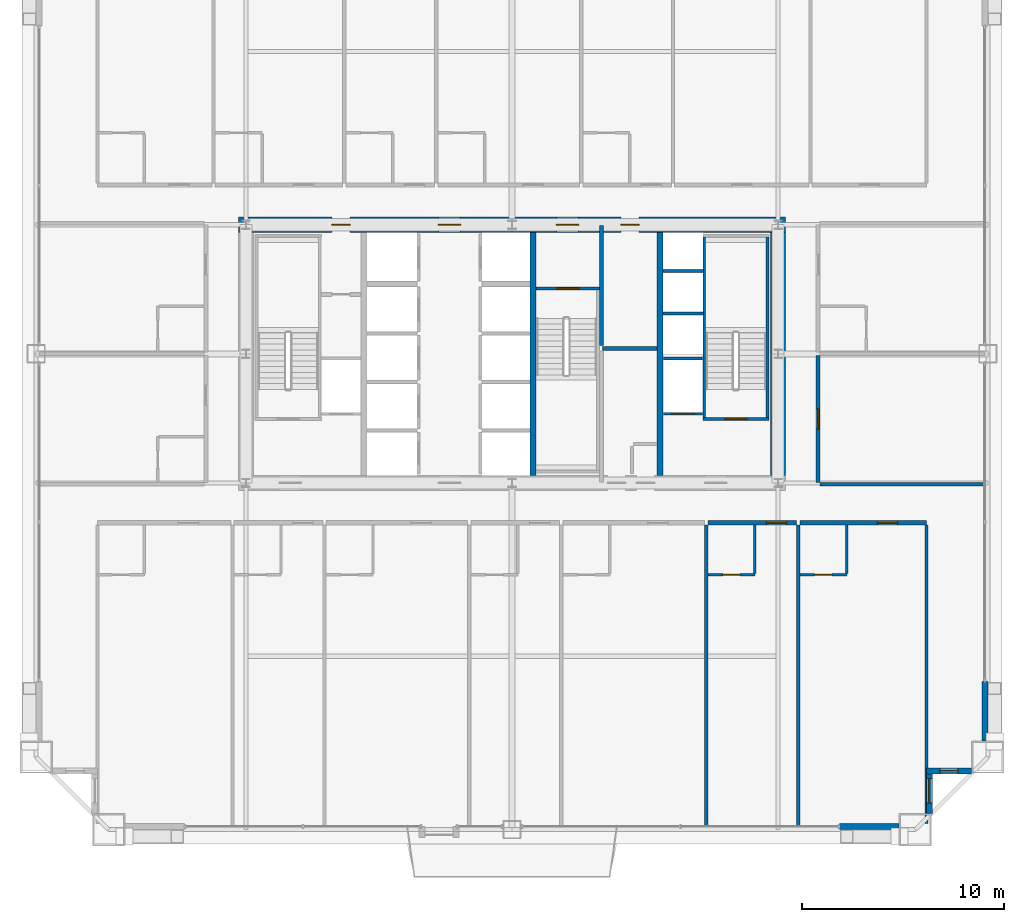
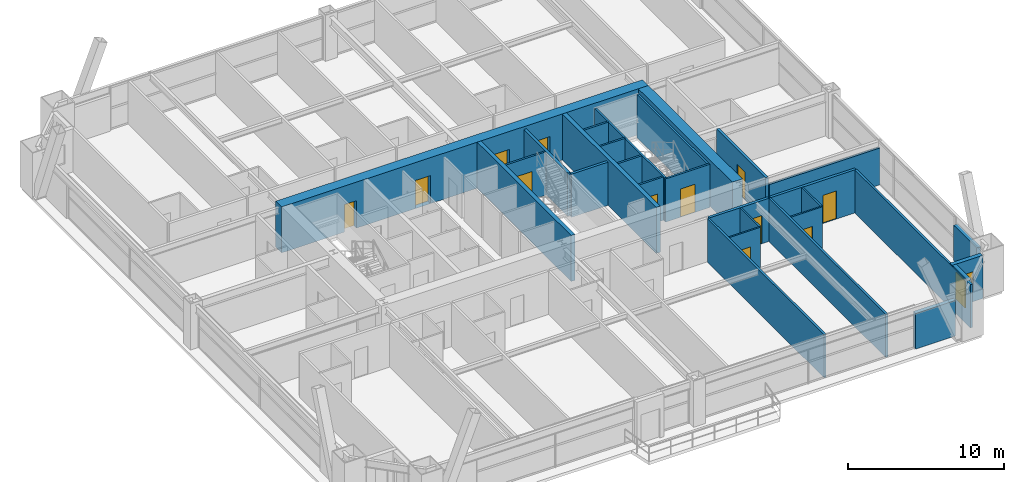
# One storey, part 40 of 43: 29 walls, 12 doors, 2 windows, 14 openings.
"""IFC4 building model written with IfcOpenShell, lengths in metres."""

from ifc_helpers import new_model, si_unit, direction, frame, frame_2d, origin, place, context, subcontext, project, spatial, rectangle, extrude, source, transform, mapped, material, layer, layer_set, type_object, element, fill, save


model = new_model("IFC4")

# Units and contexts
model_context = context("Model", 3, precision=1e-05, world=origin(), true_north=direction((0.0, 1.0)))
body_context = subcontext(model_context, "Body", "Model", "MODEL_VIEW")
ifc_project = project(units=[si_unit("LENGTHUNIT", "METRE"), si_unit("AREAUNIT", "SQUARE_METRE"), si_unit("VOLUMEUNIT", "CUBIC_METRE"), si_unit("PLANEANGLEUNIT", "RADIAN"), si_unit("MASSUNIT", "GRAM", prefix="KILO"), si_unit("THERMODYNAMICTEMPERATUREUNIT", "KELVIN"), si_unit("POWERUNIT", "WATT")], contexts=[model_context])

# Site, building, storey
site_placement = place(None, origin())
site = spatial("IfcSite", under=ifc_project, at=site_placement, CompositionType="ELEMENT")
building_placement = place(site_placement, origin())
building = spatial("IfcBuilding", under=site, at=building_placement, Name="Yuzanri Waterfront Tower", CompositionType="ELEMENT")
storey_placement = place(building_placement, frame((0.0, 0.0, 93.800048828125)))
storey = spatial("IfcBuildingStorey", under=building, at=storey_placement, Name="L24", CompositionType="ELEMENT", Elevation=93.800048828125)

# Wall, opening, door
ifc_material_1 = material(Name="Moisture-Resistant Gypsum Stud Wall", Category="gypsum")
ifc_layer_1 = layer(ifc_material_1, 0.1201171875)
ifc_layer_set_1 = layer_set([ifc_layer_1], Name="Moisture-Resistant Gypsum Stud Wall")
wall_type_1 = type_object("IfcWallType", Name="Bathroom and Kitchen Wet Partition 120", PredefinedType="PARTITIONING", material=ifc_layer_set_1)
wall_1_placement = place(storey_placement, frame((46.714111328125, 14.840087890625, 0.0), z_axis=(0.0, 0.0, 1.0), x_axis=(1.0, 0.0, 0.0)))
wall_1 = element("IfcWall", 1, at=wall_1_placement, inside=storey, type_object=wall_type_1, Name="L24 Partition UW-L24-S6-BS", PredefinedType="PARTITIONING", context=body_context, shape_type="SweptSolid", body=[
    extrude(rectangle(XDim=2.327880859375, YDim=0.1201171875, at=frame_2d((1.1640625, 0.0))), origin(), (0.0, 0.0, 1.0), 3.3798828125),
])
opening_1_placement = place(wall_1_placement, frame((0.739013671875, 0.0, 0.0)))
opening_1 = element("IfcOpeningElement", 2, at=opening_1_placement, cuts=wall_1, Name="Opening ID-0850", PredefinedType="OPENING", context=body_context, shape_type="SweptSolid", body=[
    extrude(rectangle(XDim=0.85009765625, YDim=2.10009765625, at=frame_2d((0.425048828125, 1.050048828125))), frame((0.0, 0.074951171875, 0.0), z_axis=(0.0, -1.0, 0.0), x_axis=(1.0, 0.0, 0.0)), (0.0, 0.0, 1.0), 0.14990234375),
])
ifc_material_2 = material(Name="Moisture-Resistant Lacquered Timber", Category="wood")
door_type_1 = type_object("IfcDoorType", Name="En-Suite Bathroom and Kitchen Swing Door 850x2100", OperationType="NOTDEFINED", PredefinedType="DOOR", material=ifc_material_2)
shared_shape_1 = source(origin(), body_context, "Body", "SweptSolid", [
    extrude(rectangle(XDim=0.85009765625, YDim=2.10009765625, at=frame_2d((0.425048828125, 1.050048828125))), frame((0.0, 0.02490234375, 0.0), z_axis=(0.0, -1.0, 0.0), x_axis=(1.0, 0.0, 0.0)), (0.0, 0.0, 1.0), 0.050048828125),
])
door_1_placement = place(opening_1_placement, origin())
door_1 = element("IfcDoor", 3, at=door_1_placement, inside=storey, type_object=door_type_1, Name="L24 Guest En-Suite Door", OperationType="SINGLE_SWING_LEFT", OverallHeight=2.10009765625, OverallWidth=0.85009765625, PredefinedType="DOOR", context=body_context, shape_type="MappedRepresentation", body=[
    mapped(shared_shape_1, transform((0.0, 0.0, 0.0), scale=1.0)),
])
fill(opening_1, door_1)

wall_2_placement = place(storey_placement, frame((51.27197265625, 14.840087890625, 0.0), z_axis=(0.0, 0.0, 1.0), x_axis=(1.0, 0.0, 0.0)))
wall_2 = element("IfcWall", 4, at=wall_2_placement, inside=storey, type_object=wall_type_1, Name="L24 Partition UW-L24-S7-BS", PredefinedType="PARTITIONING", context=body_context, shape_type="SweptSolid", body=[
    extrude(rectangle(XDim=2.330078125, YDim=0.1201171875, at=frame_2d((1.1650390625, 0.0))), origin(), (0.0, 0.0, 1.0), 3.3798828125),
])
opening_2_placement = place(wall_2_placement, frame((0.739990234375, 0.0, 0.0)))
opening_2 = element("IfcOpeningElement", 5, at=opening_2_placement, cuts=wall_2, Name="Opening ID-0850", PredefinedType="OPENING", context=body_context, shape_type="SweptSolid", body=[
    extrude(rectangle(XDim=0.85009765625, YDim=2.10009765625, at=frame_2d((0.425048828125, 1.050048828125))), frame((0.0, 0.074951171875, 0.0), z_axis=(0.0, -1.0, 0.0), x_axis=(1.0, 0.0, 0.0)), (0.0, 0.0, 1.0), 0.14990234375),
])
door_2_placement = place(opening_2_placement, origin())
door_2 = element("IfcDoor", 6, at=door_2_placement, inside=storey, type_object=door_type_1, Name="L24 Guest En-Suite Door", OperationType="SINGLE_SWING_LEFT", OverallHeight=2.10009765625, OverallWidth=0.85009765625, PredefinedType="DOOR", context=body_context, shape_type="MappedRepresentation", body=[
    mapped(shared_shape_1, transform((0.0, 0.0, 0.0), scale=1.0)),
])
fill(opening_2, door_2)

# Wall, opening, window
ifc_material_3 = material(Name="Honed Chongqing Dark Basalt Stone", Category="masonry")
ifc_layer_2 = layer(ifc_material_3, 0.300048828125)
ifc_layer_set_2 = layer_set([ifc_layer_2], Name="Honed Chongqing Dark Basalt Stone")
wall_type_2 = type_object("IfcWallType", Name="Bronze Rainscreen Insulated Spandrel Portal Wall 300", PredefinedType="SOLIDWALL", material=ifc_layer_set_2)
wall_3_placement = place(storey_placement, frame((57.550048828125, 5.10009765625, 0.0), z_axis=(0.0, 0.0, 1.0), x_axis=(1.0, 0.0, 0.0)))
wall_3 = element("IfcWall", 7, at=wall_3_placement, inside=storey, type_object=wall_type_2, Name="L24 Notched Corner Masonry Wall SE-X", PredefinedType="SOLIDWALL", context=body_context, shape_type="SweptSolid", body=[
    extrude(rectangle(XDim=2.25, YDim=0.300048828125, at=frame_2d((1.125, 0.0))), origin(), (0.0, 0.0, 1.0), 3.3798828125),
])
opening_3_placement = place(wall_3_placement, frame((0.675048828125, 0.0, 0.85009765625)))
opening_3 = element("IfcOpeningElement", 8, at=opening_3_placement, cuts=wall_3, Name="Opening WN-05", PredefinedType="OPENING", context=body_context, shape_type="SweptSolid", body=[
    extrude(rectangle(XDim=0.89990234375, YDim=1.5, at=frame_2d((0.449951171875, 0.75))), frame((0.0, 0.1650390625, 0.0), z_axis=(0.0, -1.0, 0.0), x_axis=(1.0, 0.0, 0.0)), (0.0, 0.0, 1.0), 0.329833984375),
])
ifc_material_4 = material(Name="Double-Silver Low-E Insulated Glass", Category="glass")
window_type_1 = type_object("IfcWindowType", Name="Anodized Bronze Service and Stairwell Smoke-Vent Window 900x1500", PartitioningType="SINGLE_PANEL", PredefinedType="WINDOW", material=ifc_material_4)
shared_shape_2 = source(origin(), body_context, "Body", "SweptSolid", [
    extrude(rectangle(XDim=0.89990234375, YDim=1.5, at=frame_2d((0.449951171875, 0.75))), frame((0.0, 0.030029296875, 0.0), z_axis=(0.0, -1.0, 0.0), x_axis=(1.0, 0.0, 0.0)), (0.0, 0.0, 1.0), 0.06005859375),
])
window_1_placement = place(opening_3_placement, origin())
window_1 = element("IfcWindow", 9, at=window_1_placement, inside=storey, type_object=window_type_1, Name="L24 Notched Corner Window SE-X", OverallHeight=1.5, OverallWidth=0.89990234375, PartitioningType="SINGLE_PANEL", PredefinedType="WINDOW", context=body_context, shape_type="MappedRepresentation", body=[
    mapped(shared_shape_2, transform((0.0, 0.0, 0.0), scale=1.0)),
])
fill(opening_3, window_1)

wall_4_placement = place(storey_placement, frame((57.699951171875, 3.0, 0.0), z_axis=(0.0, 0.0, 1.0), x_axis=(0.0, 1.0, 0.0)))
wall_4 = element("IfcWall", 10, at=wall_4_placement, inside=storey, type_object=wall_type_2, Name="L24 Notched Corner Masonry Wall SE-Y", PredefinedType="SOLIDWALL", context=body_context, shape_type="SweptSolid", body=[
    extrude(rectangle(XDim=2.25, YDim=0.300048828125, at=frame_2d((1.125, 0.0))), origin(), (0.0, 0.0, 1.0), 3.3798828125),
])
opening_4_placement = place(wall_4_placement, frame((0.52490234375, 0.0, 0.85009765625)))
opening_4 = element("IfcOpeningElement", 11, at=opening_4_placement, cuts=wall_4, Name="Opening WN-02", PredefinedType="OPENING", context=body_context, shape_type="SweptSolid", body=[
    extrude(rectangle(XDim=1.199951171875, YDim=2.10009765625, at=frame_2d((0.60009765625, 1.050048828125))), frame((0.0, 0.1650390625, 0.0), z_axis=(0.0, -1.0, 0.0), x_axis=(1.0, 0.0, 0.0)), (0.0, 0.0, 1.0), 0.329833984375),
])
ifc_material_5 = material(Name="Double-Silver Low-E Insulated Glass", Category="glass")
window_type_2 = type_object("IfcWindowType", Name="Anodized Bronze Notched Corner Deep-Set Slot Window 1200x2100", PartitioningType="SINGLE_PANEL", PredefinedType="WINDOW", material=ifc_material_5)
shared_shape_3 = source(origin(), body_context, "Body", "SweptSolid", [
    extrude(rectangle(XDim=1.199951171875, YDim=2.10009765625, at=frame_2d((0.60009765625, 1.050048828125))), frame((0.0, 0.030029296875, 0.0), z_axis=(0.0, -1.0, 0.0), x_axis=(1.0, 0.0, 0.0)), (0.0, 0.0, 1.0), 0.06005859375),
])
window_2_placement = place(opening_4_placement, origin())
window_2 = element("IfcWindow", 12, at=window_2_placement, inside=storey, type_object=window_type_2, Name="L24 Notched Corner Window SE-Y", OverallHeight=2.10009765625, OverallWidth=1.199951171875, PartitioningType="SINGLE_PANEL", PredefinedType="WINDOW", context=body_context, shape_type="MappedRepresentation", body=[
    mapped(shared_shape_3, transform((0.0, 0.0, 0.0), scale=1.0)),
])
fill(opening_4, window_2)

# Wall, openings, doors
ifc_material_6 = material(Name="Concrete C55", Category="concrete")
ifc_layer_3 = layer(ifc_material_6, 0.75)
ifc_layer_set_3 = layer_set([ifc_layer_3], Name="Concrete C55")
wall_type_3 = type_object("IfcWallType", Name="Concrete C55 Low-Mid Zone Core Shear Wall 750", PredefinedType="SHEAR", material=ifc_layer_set_3)
wall_5_placement = place(storey_placement, frame((23.425048828125, 32.199951171875, 0.0), z_axis=(0.0, 0.0, 1.0), x_axis=(1.0, 0.0, 0.0)))
wall_5 = element("IfcWall", 13, at=wall_5_placement, inside=storey, type_object=wall_type_3, Name="L24 Core North Shear Wall", PredefinedType="SHEAR", context=body_context, shape_type="SweptSolid", body=[
    extrude(rectangle(XDim=27.14990234375, YDim=0.75, at=frame_2d((13.574951171875, 0.0))), origin(), (0.0, 0.0, 1.0), 3.599853515625),
])
opening_5_placement = place(wall_5_placement, frame((4.64501953125, 0.0, 0.0)))
opening_5 = element("IfcOpeningElement", 14, at=opening_5_placement, cuts=wall_5, Name="Opening FD-0900", PredefinedType="OPENING", context=body_context, shape_type="SweptSolid", body=[
    extrude(rectangle(XDim=0.89990234375, YDim=2.14990234375, at=frame_2d((0.449951171875, 1.074951171875))), frame((0.0, 0.389892578125, 0.0), z_axis=(0.0, -1.0, 0.0), x_axis=(1.0, 0.0, 0.0)), (0.0, 0.0, 1.0), 0.77978515625),
])
opening_6_placement = place(wall_5_placement, frame((9.925048828125, 0.0, 0.0)))
opening_6 = element("IfcOpeningElement", 15, at=opening_6_placement, cuts=wall_5, Name="Opening FD-1100", PredefinedType="OPENING", context=body_context, shape_type="SweptSolid", body=[
    extrude(rectangle(XDim=1.10009765625, YDim=2.199951171875, at=frame_2d((0.550048828125, 1.10009765625))), frame((0.0, 0.389892578125, 0.0), z_axis=(0.0, -1.0, 0.0), x_axis=(1.0, 0.0, 0.0)), (0.0, 0.0, 1.0), 0.77978515625),
])
opening_7_placement = place(wall_5_placement, frame((15.77490234375, 0.0, 0.0)))
opening_7 = element("IfcOpeningElement", 16, at=opening_7_placement, cuts=wall_5, Name="Opening FD-1100", PredefinedType="OPENING", context=body_context, shape_type="SweptSolid", body=[
    extrude(rectangle(XDim=1.10009765625, YDim=2.199951171875, at=frame_2d((0.550048828125, 1.10009765625))), frame((0.0, 0.389892578125, 0.0), z_axis=(0.0, -1.0, 0.0), x_axis=(1.0, 0.0, 0.0)), (0.0, 0.0, 1.0), 0.77978515625),
])
opening_8_placement = place(wall_5_placement, frame((18.97509765625, 0.0, 0.0)))
opening_8 = element("IfcOpeningElement", 17, at=opening_8_placement, cuts=wall_5, Name="Opening FD-0900", PredefinedType="OPENING", context=body_context, shape_type="SweptSolid", body=[
    extrude(rectangle(XDim=0.89990234375, YDim=2.14990234375, at=frame_2d((0.449951171875, 1.074951171875))), frame((0.0, 0.389892578125, 0.0), z_axis=(0.0, -1.0, 0.0), x_axis=(1.0, 0.0, 0.0)), (0.0, 0.0, 1.0), 0.77978515625),
])
ifc_material_7 = material(Name="Painted Galvanized Fire Steel", Category="steel")
door_type_2 = type_object("IfcDoorType", Name="Smoke-Proof Stair and Lobby Fire Door 1100x2200", OperationType="NOTDEFINED", PredefinedType="DOOR", material=ifc_material_7)
shared_shape_4 = source(origin(), body_context, "Body", "SweptSolid", [
    extrude(rectangle(XDim=1.10009765625, YDim=2.199951171875, at=frame_2d((0.550048828125, 1.10009765625))), frame((0.0, 0.02490234375, 0.0), z_axis=(0.0, -1.0, 0.0), x_axis=(1.0, 0.0, 0.0)), (0.0, 0.0, 1.0), 0.050048828125),
])
door_3_placement = place(opening_6_placement, origin())
door_3 = element("IfcDoor", 18, at=door_3_placement, inside=storey, type_object=door_type_2, Name="L24 Central Lift Lobby North Door", OperationType="SINGLE_SWING_RIGHT", OverallHeight=2.199951171875, OverallWidth=1.10009765625, PredefinedType="DOOR", context=body_context, shape_type="MappedRepresentation", body=[
    mapped(shared_shape_4, transform((0.0, 0.0, 0.0), scale=1.0)),
])
fill(opening_6, door_3)
door_4_placement = place(opening_7_placement, origin())
door_4 = element("IfcDoor", 19, at=door_4_placement, inside=storey, type_object=door_type_2, Name="L24 North Stair Lobby Door", OperationType="SINGLE_SWING_LEFT", OverallHeight=2.199951171875, OverallWidth=1.10009765625, PredefinedType="DOOR", context=body_context, shape_type="MappedRepresentation", body=[
    mapped(shared_shape_4, transform((0.0, 0.0, 0.0), scale=1.0)),
])
fill(opening_7, door_4)
ifc_material_8 = material(Name="Painted Galvanized Fire Steel", Category="steel")
door_type_3 = type_object("IfcDoorType", Name="Riser and Service Room Fire Door 900x2150", OperationType="NOTDEFINED", PredefinedType="DOOR", material=ifc_material_8)
shared_shape_5 = source(origin(), body_context, "Body", "SweptSolid", [
    extrude(rectangle(XDim=0.89990234375, YDim=2.14990234375, at=frame_2d((0.449951171875, 1.074951171875))), frame((0.0, 0.02490234375, 0.0), z_axis=(0.0, -1.0, 0.0), x_axis=(1.0, 0.0, 0.0)), (0.0, 0.0, 1.0), 0.050048828125),
])
door_5_placement = place(opening_5_placement, origin())
door_5 = element("IfcDoor", 20, at=door_5_placement, inside=storey, type_object=door_type_3, Name="L24 Telecom Riser Door", OperationType="SINGLE_SWING_LEFT", OverallHeight=2.14990234375, OverallWidth=0.89990234375, PredefinedType="DOOR", context=body_context, shape_type="MappedRepresentation", body=[
    mapped(shared_shape_5, transform((0.0, 0.0, 0.0), scale=1.0)),
])
fill(opening_5, door_5)
door_6_placement = place(opening_8_placement, origin())
door_6 = element("IfcDoor", 21, at=door_6_placement, inside=storey, type_object=door_type_3, Name="L24 Housekeeping Room", OperationType="SINGLE_SWING_LEFT", OverallHeight=2.14990234375, OverallWidth=0.89990234375, PredefinedType="DOOR", context=body_context, shape_type="MappedRepresentation", body=[
    mapped(shared_shape_5, transform((0.0, 0.0, 0.0), scale=1.0)),
])
fill(opening_8, door_6)

# Wall, opening, door
ifc_material_9 = material(Name="Concrete C40", Category="concrete")
ifc_layer_4 = layer(ifc_material_9, 0.139892578125)
ifc_layer_set_4 = layer_set([ifc_layer_4], Name="Concrete C40")
wall_type_4 = type_object("IfcWallType", Name="Core Stair Liner and Hoistway Shaft Wall 140", PredefinedType="SOLIDWALL", material=ifc_layer_set_4)
wall_6_placement = place(storey_placement, frame((44.52001953125, 22.830078125, 0.0), z_axis=(0.0, 0.0, 1.0), x_axis=(1.0, 0.0, 0.0)))
wall_6 = element("IfcWall", 22, at=wall_6_placement, inside=storey, type_object=wall_type_4, Name="L24 Lift FL-02 Front Shaft Wall", PredefinedType="SOLIDWALL", context=body_context, shape_type="SweptSolid", body=[
    extrude(rectangle(XDim=1.919921875, YDim=0.139892578125, at=frame_2d((0.9599609375, 0.0))), origin(), (0.0, 0.0, 1.0), 3.3798828125),
])
opening_9_placement = place(wall_6_placement, frame((0.409912109375, 0.0, 0.0)))
opening_9 = element("IfcOpeningElement", 23, at=opening_9_placement, cuts=wall_6, Name="Opening LD-FL-02", PredefinedType="OPENING", context=body_context, shape_type="SweptSolid", body=[
    extrude(rectangle(XDim=1.10009765625, YDim=2.199951171875, at=frame_2d((0.550048828125, 1.10009765625))), frame((0.0, 0.0849609375, 0.0), z_axis=(0.0, -1.0, 0.0), x_axis=(1.0, 0.0, 0.0)), (0.0, 0.0, 1.0), 0.169677734375),
])
ifc_material_10 = material(Name="Brushed Bronze and Stainless Steel Cab", Category="steel")
door_type_4 = type_object("IfcDoorType", Name="Center-Parting Bronze Lift Landing Sliding Door 1100x2200", OperationType="NOTDEFINED", PredefinedType="DOOR", material=ifc_material_10)
shared_shape_6 = source(origin(), body_context, "Body", "SweptSolid", [
    extrude(rectangle(XDim=1.10009765625, YDim=2.199951171875, at=frame_2d((0.550048828125, 1.10009765625))), frame((0.0, 0.02490234375, 0.0), z_axis=(0.0, -1.0, 0.0), x_axis=(1.0, 0.0, 0.0)), (0.0, 0.0, 1.0), 0.050048828125),
])
door_7_placement = place(opening_9_placement, origin())
door_7 = element("IfcDoor", 24, at=door_7_placement, inside=storey, type_object=door_type_4, Name="L24 FL-02 Lift Landing Sliding Door", OperationType="SLIDING_TO_RIGHT", OverallHeight=2.199951171875, OverallWidth=1.10009765625, PredefinedType="DOOR", context=body_context, shape_type="MappedRepresentation", body=[
    mapped(shared_shape_6, transform((0.0, 0.0, 0.0), scale=1.0)),
])
fill(opening_9, door_7)

wall_7_placement = place(storey_placement, frame((46.4599609375, 22.570068359375, 0.0), z_axis=(0.0, 0.0, 1.0), x_axis=(1.0, 0.0, 0.0)))
wall_7 = element("IfcWall", 25, at=wall_7_placement, inside=storey, type_object=wall_type_4, Name="L24 Shaft Wall STW-L24-ST-02-S", PredefinedType="SOLIDWALL", context=body_context, shape_type="SweptSolid", body=[
    extrude(rectangle(XDim=3.280029296875, YDim=0.139892578125, at=frame_2d((1.64013671875, 0.0))), origin(), (0.0, 0.0, 1.0), 3.3798828125),
])
opening_10_placement = place(wall_7_placement, frame((1.090087890625, 0.0, 0.0)))
opening_10 = element("IfcOpeningElement", 26, at=opening_10_placement, cuts=wall_7, Name="Opening FD-1100", PredefinedType="OPENING", context=body_context, shape_type="SweptSolid", body=[
    extrude(rectangle(XDim=1.10009765625, YDim=2.199951171875, at=frame_2d((0.550048828125, 1.10009765625))), frame((0.0, 0.0849609375, 0.0), z_axis=(0.0, -1.0, 0.0), x_axis=(1.0, 0.0, 0.0)), (0.0, 0.0, 1.0), 0.169677734375),
])
door_8_placement = place(opening_10_placement, origin())
door_8 = element("IfcDoor", 27, at=door_8_placement, inside=storey, type_object=door_type_2, Name="L24 Stair ST-02 Fire Door", OperationType="SINGLE_SWING_RIGHT", OverallHeight=2.199951171875, OverallWidth=1.10009765625, PredefinedType="DOOR", context=body_context, shape_type="MappedRepresentation", body=[
    mapped(shared_shape_4, transform((0.0, 0.0, 0.0), scale=1.0)),
])
fill(opening_10, door_8)

wall_8_placement = place(storey_placement, frame((38.199951171875, 29.030029296875, 0.0), z_axis=(0.0, 0.0, 1.0), x_axis=(1.0, 0.0, 0.0)))
wall_8 = element("IfcWall", 28, at=wall_8_placement, inside=storey, type_object=wall_type_4, Name="L24 Shaft Wall STW-L24-ST-03-N", PredefinedType="SOLIDWALL", context=body_context, shape_type="SweptSolid", body=[
    extrude(rectangle(XDim=3.14013671875, YDim=0.139892578125, at=frame_2d((1.570068359375, 0.0))), origin(), (0.0, 0.0, 1.0), 3.3798828125),
])
opening_11_placement = place(wall_8_placement, frame((1.02001953125, 0.0, 0.0)))
opening_11 = element("IfcOpeningElement", 29, at=opening_11_placement, cuts=wall_8, Name="Opening FD-1100", PredefinedType="OPENING", context=body_context, shape_type="SweptSolid", body=[
    extrude(rectangle(XDim=1.10009765625, YDim=2.199951171875, at=frame_2d((0.550048828125, 1.10009765625))), frame((0.0, 0.0849609375, 0.0), z_axis=(0.0, -1.0, 0.0), x_axis=(1.0, 0.0, 0.0)), (0.0, 0.0, 1.0), 0.169677734375),
])
door_9_placement = place(opening_11_placement, origin())
door_9 = element("IfcDoor", 30, at=door_9_placement, inside=storey, type_object=door_type_2, Name="L24 Stair ST-03 Fire Door", OperationType="SINGLE_SWING_LEFT", OverallHeight=2.199951171875, OverallWidth=1.10009765625, PredefinedType="DOOR", context=body_context, shape_type="MappedRepresentation", body=[
    mapped(shared_shape_4, transform((0.0, 0.0, 0.0), scale=1.0)),
])
fill(opening_11, door_9)

ifc_material_11 = material(Name="Autoclaved Aerated Concrete Blockwork", Category="masonry")
ifc_layer_5 = layer(ifc_material_11, 0.199951171875)
ifc_layer_set_5 = layer_set([ifc_layer_5], Name="Autoclaved Aerated Concrete Blockwork")
wall_type_5 = type_object("IfcWallType", Name="Corridor and Unit Party Fire Wall 200", PredefinedType="PARTITIONING", material=ifc_layer_set_5)
wall_9_placement = place(storey_placement, frame((46.714111328125, 17.419921875, 0.0), z_axis=(0.0, 0.0, 1.0), x_axis=(1.0, 0.0, 0.0)))
wall_9 = element("IfcWall", 31, at=wall_9_placement, inside=storey, type_object=wall_type_5, Name="L24 Partition UW-L24-S6-CN", PredefinedType="PARTITIONING", context=body_context, shape_type="SweptSolid", body=[
    extrude(rectangle(XDim=4.39794921875, YDim=0.199951171875, at=frame_2d((2.198974609375, 0.0))), origin(), (0.0, 0.0, 1.0), 3.3798828125),
])
opening_12_placement = place(wall_9_placement, frame((2.903076171875, 0.0, 0.0)))
opening_12 = element("IfcOpeningElement", 32, at=opening_12_placement, cuts=wall_9, Name="Opening FD-1000", PredefinedType="OPENING", context=body_context, shape_type="SweptSolid", body=[
    extrude(rectangle(XDim=1.0, YDim=2.199951171875, at=frame_2d((0.5, 1.10009765625))), frame((0.0, 0.11474609375, 0.0), z_axis=(0.0, -1.0, 0.0), x_axis=(1.0, 0.0, 0.0)), (0.0, 0.0, 1.0), 0.229736328125),
])
ifc_material_12 = material(Name="Engineered Oak Fire-Rated Timber", Category="wood")
door_type_5 = type_object("IfcDoorType", Name="Guestroom and Apartment Entrance Fire Door 1000x2200", OperationType="NOTDEFINED", PredefinedType="DOOR", material=ifc_material_12)
shared_shape_7 = source(origin(), body_context, "Body", "SweptSolid", [
    extrude(rectangle(XDim=1.0, YDim=2.199951171875, at=frame_2d((0.5, 1.10009765625))), frame((0.0, 0.02490234375, 0.0), z_axis=(0.0, -1.0, 0.0), x_axis=(1.0, 0.0, 0.0)), (0.0, 0.0, 1.0), 0.050048828125),
])
door_10_placement = place(opening_12_placement, origin())
door_10 = element("IfcDoor", 33, at=door_10_placement, inside=storey, type_object=door_type_5, Name="L24 Superior King Guest Room Entrance Door", OperationType="SINGLE_SWING_RIGHT", OverallHeight=2.199951171875, OverallWidth=1.0, PredefinedType="DOOR", context=body_context, shape_type="MappedRepresentation", body=[
    mapped(shared_shape_7, transform((0.0, 0.0, 0.0), scale=1.0)),
])
fill(opening_12, door_10)

wall_10_placement = place(storey_placement, frame((51.27197265625, 17.419921875, 0.0), z_axis=(0.0, 0.0, 1.0), x_axis=(1.0, 0.0, 0.0)))
wall_10 = element("IfcWall", 34, at=wall_10_placement, inside=storey, type_object=wall_type_5, Name="L24 Partition UW-L24-S7-CN", PredefinedType="PARTITIONING", context=body_context, shape_type="SweptSolid", body=[
    extrude(rectangle(XDim=6.2880859375, YDim=0.199951171875, at=frame_2d((3.14404296875, 0.0))), origin(), (0.0, 0.0, 1.0), 3.3798828125),
])
opening_13_placement = place(wall_10_placement, frame((3.84912109375, 0.0, 0.0)))
opening_13 = element("IfcOpeningElement", 35, at=opening_13_placement, cuts=wall_10, Name="Opening FD-1000", PredefinedType="OPENING", context=body_context, shape_type="SweptSolid", body=[
    extrude(rectangle(XDim=1.0, YDim=2.199951171875, at=frame_2d((0.5, 1.10009765625))), frame((0.0, 0.11474609375, 0.0), z_axis=(0.0, -1.0, 0.0), x_axis=(1.0, 0.0, 0.0)), (0.0, 0.0, 1.0), 0.229736328125),
])
door_11_placement = place(opening_13_placement, origin())
door_11 = element("IfcDoor", 36, at=door_11_placement, inside=storey, type_object=door_type_5, Name="L24 Superior King Junior Suite Entrance Door", OperationType="SINGLE_SWING_RIGHT", OverallHeight=2.199951171875, OverallWidth=1.0, PredefinedType="DOOR", context=body_context, shape_type="MappedRepresentation", body=[
    mapped(shared_shape_7, transform((0.0, 0.0, 0.0), scale=1.0)),
])
fill(opening_13, door_11)

wall_11_placement = place(storey_placement, frame((52.179931640625, 19.409912109375, 0.0), z_axis=(0.0, 0.0, 1.0), x_axis=(0.0, 1.0, 0.0)))
wall_11 = element("IfcWall", 37, at=wall_11_placement, inside=storey, type_object=wall_type_5, Name="L24 Partition UW-L24-E1-CW", PredefinedType="PARTITIONING", context=body_context, shape_type="SweptSolid", body=[
    extrude(rectangle(XDim=6.31005859375, YDim=0.199951171875, at=frame_2d((3.155029296875, 0.0))), origin(), (0.0, 0.0, 1.0), 3.3798828125),
])
opening_14_placement = place(wall_11_placement, frame((2.655029296875, 0.0, 0.0)))
opening_14 = element("IfcOpeningElement", 38, at=opening_14_placement, cuts=wall_11, Name="Opening FD-1000", PredefinedType="OPENING", context=body_context, shape_type="SweptSolid", body=[
    extrude(rectangle(XDim=1.0, YDim=2.199951171875, at=frame_2d((0.5, 1.10009765625))), frame((0.0, 0.11474609375, 0.0), z_axis=(0.0, -1.0, 0.0), x_axis=(1.0, 0.0, 0.0)), (0.0, 0.0, 1.0), 0.229736328125),
])
door_12_placement = place(opening_14_placement, origin())
door_12 = element("IfcDoor", 39, at=door_12_placement, inside=storey, type_object=door_type_5, Name="L24 East Executive Club Room Entrance Door", OperationType="SINGLE_SWING_RIGHT", OverallHeight=2.199951171875, OverallWidth=1.0, PredefinedType="DOOR", context=body_context, shape_type="MappedRepresentation", body=[
    mapped(shared_shape_7, transform((0.0, 0.0, 0.0), scale=1.0)),
])
fill(opening_14, door_12)

# Walls
shared_shape_8 = source(origin(), body_context, "Body", "SweptSolid", [
    extrude(rectangle(XDim=12.050048828125, YDim=0.75, at=frame_2d((6.02490234375, 0.0))), origin(), (0.0, 0.0, 1.0), 3.599853515625),
])
wall_12_placement = place(storey_placement, frame((50.199951171875, 19.77490234375, 0.0), z_axis=(0.0, 0.0, 1.0), x_axis=(0.0, 1.0, 0.0)))
element("IfcWall", 40, at=wall_12_placement, inside=storey, type_object=wall_type_3, Name="L24 Core East Shear Wall", PredefinedType="SHEAR", context=body_context, shape_type="MappedRepresentation", body=[
    mapped(shared_shape_8, transform((0.0, 0.0, 0.0), scale=1.0)),
])
ifc_material_13 = material(Name="Concrete C50", Category="concrete")
ifc_layer_6 = layer(ifc_material_13, 0.300048828125)
ifc_layer_set_6 = layer_set([ifc_layer_6], Name="Concrete C50")
wall_type_6 = type_object("IfcWallType", Name="Concrete C50 Internal Core Shaft Structural Wall 300", PredefinedType="SOLIDWALL", material=ifc_layer_set_6)
shared_shape_9 = source(origin(), body_context, "Body", "SweptSolid", [
    extrude(rectangle(XDim=12.050048828125, YDim=0.300048828125, at=frame_2d((6.02490234375, 0.0))), origin(), (0.0, 0.0, 1.0), 3.599853515625),
])
for number, where, z_axis, x_axis, name in (
    (41, (38.050048828125, 19.77490234375, 0.0), (0.0, 0.0, 1.0), (0.0, 1.0, 0.0), "L24 Core Internal Structural Web Wall 2"),
    (42, (44.35009765625, 19.77490234375, 0.0), (0.0, 0.0, 1.0), (0.0, 1.0, 0.0), "L24 Core Internal Structural Web Wall 3"),
):
    element("IfcWall", number, at=place(storey_placement, frame(where, z_axis=z_axis, x_axis=x_axis)), inside=storey, type_object=wall_type_6, Name=name, PredefinedType="SOLIDWALL", context=body_context, shape_type="MappedRepresentation", body=[
        mapped(shared_shape_9, transform((0.0, 0.0, 0.0), scale=1.0)),
    ])
shared_shape_10 = source(origin(), body_context, "Body", "SweptSolid", [
    extrude(rectangle(XDim=2.949951171875, YDim=0.300048828125, at=frame_2d((1.47509765625, 0.0))), origin(), (0.0, 0.0, 1.0), 2.77490234375),
])
for number, where, z_axis, x_axis, name in (
    (43, (53.25, 2.35009765625, 0.0), (0.0, 0.0, 1.0), (1.0, 0.0, 0.0), "L24 S Right Braced Masonry Shoulder"),
    (44, (60.449951171875, 6.60009765625, 0.0), (0.0, 0.0, 1.0), (0.0, 1.0, 0.0), "L24 E Left Braced Masonry Shoulder"),
):
    element("IfcWall", number, at=place(storey_placement, frame(where, z_axis=z_axis, x_axis=x_axis)), inside=storey, type_object=wall_type_2, Name=name, PredefinedType="SOLIDWALL", context=body_context, shape_type="MappedRepresentation", body=[
        mapped(shared_shape_10, transform((0.0, 0.0, 0.0), scale=1.0)),
    ])
shared_shape_11 = source(origin(), body_context, "Body", "SweptSolid", [
    extrude(rectangle(XDim=1.919921875, YDim=0.139892578125, at=frame_2d((0.9599609375, 0.0))), origin(), (0.0, 0.0, 1.0), 3.3798828125),
])
wall_13_placement = place(storey_placement, frame((44.52001953125, 25.570068359375, 0.0), z_axis=(0.0, 0.0, 1.0), x_axis=(1.0, 0.0, 0.0)))
element("IfcWall", 45, at=wall_13_placement, inside=storey, type_object=wall_type_4, Name="L24 Lift FL-02 Back Shaft Wall", PredefinedType="SOLIDWALL", context=body_context, shape_type="MappedRepresentation", body=[
    mapped(shared_shape_11, transform((0.0, 0.0, 0.0), scale=1.0)),
])
shared_shape_12 = source(origin(), body_context, "Body", "SweptSolid", [
    extrude(rectangle(XDim=2.0, YDim=0.139892578125, at=frame_2d((1.0, 0.0))), origin(), (0.0, 0.0, 1.0), 3.3798828125),
])
for number, where, z_axis, x_axis, name in (
    (46, (44.5, 27.800048828125, 0.0), (0.0, 0.0, 1.0), (1.0, 0.0, 0.0), "L24 Lift PL-09 Divider Wall"),
    (47, (44.5, 29.89990234375, 0.0), (0.0, 0.0, 1.0), (1.0, 0.0, 0.0), "L24 Lift PL-10 Divider Wall"),
):
    element("IfcWall", number, at=place(storey_placement, frame(where, z_axis=z_axis, x_axis=x_axis)), inside=storey, type_object=wall_type_4, Name=name, PredefinedType="SOLIDWALL", context=body_context, shape_type="MappedRepresentation", body=[
        mapped(shared_shape_12, transform((0.0, 0.0, 0.0), scale=1.0)),
    ])
shared_shape_13 = source(origin(), body_context, "Body", "SweptSolid", [
    extrude(rectangle(XDim=8.940185546875, YDim=0.139892578125, at=frame_2d((4.47021484375, 0.0))), origin(), (0.0, 0.0, 1.0), 3.3798828125),
])
for number, where, z_axis, x_axis, name in (
    (48, (46.530029296875, 22.639892578125, 0.0), (0.0, 0.0, 1.0), (0.0, 1.0, 0.0), "L24 Stair ST-02 West Shaft Wall"),
    (49, (49.669921875, 22.639892578125, 0.0), (0.0, 0.0, 1.0), (0.0, 1.0, 0.0), "L24 Stair ST-02 East Shaft Wall"),
):
    element("IfcWall", number, at=place(storey_placement, frame(where, z_axis=z_axis, x_axis=x_axis)), inside=storey, type_object=wall_type_4, Name=name, PredefinedType="SOLIDWALL", context=body_context, shape_type="MappedRepresentation", body=[
        mapped(shared_shape_13, transform((0.0, 0.0, 0.0), scale=1.0)),
    ])
shared_shape_14 = source(origin(), body_context, "Body", "SweptSolid", [
    extrude(rectangle(XDim=2.420166015625, YDim=0.1201171875, at=frame_2d((1.2099609375, 0.0))), origin(), (0.0, 0.0, 1.0), 3.3798828125),
])
for number, where, z_axis, x_axis, name in (
    (50, (49.0419921875, 14.89990234375, 0.0), (0.0, 0.0, 1.0), (0.0, 1.0, 0.0), "L24-S6 En-Suite Side Wall"),
    (51, (53.60205078125, 14.89990234375, 0.0), (0.0, 0.0, 1.0), (0.0, 1.0, 0.0), "L24-S7 En-Suite Side Wall"),
):
    element("IfcWall", number, at=place(storey_placement, frame(where, z_axis=z_axis, x_axis=x_axis)), inside=storey, type_object=wall_type_1, Name=name, PredefinedType="PARTITIONING", context=body_context, shape_type="MappedRepresentation", body=[
        mapped(shared_shape_14, transform((0.0, 0.0, 0.0), scale=1.0)),
    ])
shared_shape_15 = source(origin(), body_context, "Body", "SweptSolid", [
    extrude(rectangle(XDim=2.699951171875, YDim=0.199951171875, at=frame_2d((1.35009765625, 0.0))), origin(), (0.0, 0.0, 1.0), 3.3798828125),
])
wall_14_placement = place(storey_placement, frame((41.5, 26.070068359375, 0.0), z_axis=(0.0, 0.0, 1.0), x_axis=(1.0, 0.0, 0.0)))
element("IfcWall", 52, at=wall_14_placement, inside=storey, type_object=wall_type_5, Name="L24 Core BOH Split Wall 1", PredefinedType="PARTITIONING", context=body_context, shape_type="MappedRepresentation", body=[
    mapped(shared_shape_15, transform((0.0, 0.0, 0.0), scale=1.0)),
])
shared_shape_16 = source(origin(), body_context, "Body", "SweptSolid", [
    extrude(rectangle(XDim=5.9599609375, YDim=0.199951171875, at=frame_2d((2.97998046875, 0.0))), origin(), (0.0, 0.0, 1.0), 3.3798828125),
])
wall_15_placement = place(storey_placement, frame((41.449951171875, 26.199951171875, 0.0), z_axis=(0.0, 0.0, 1.0), x_axis=(0.0, 1.0, 0.0)))
element("IfcWall", 53, at=wall_15_placement, inside=storey, type_object=wall_type_5, Name="L24 Core BOH West Wall 2", PredefinedType="PARTITIONING", context=body_context, shape_type="MappedRepresentation", body=[
    mapped(shared_shape_16, transform((0.0, 0.0, 0.0), scale=1.0)),
])
ifc_material_14 = material(Name="Gypsum Fireboard Acoustic Stud Wall", Category="gypsum")
ifc_layer_7 = layer(ifc_material_14, 0.159912109375)
ifc_layer_set_7 = layer_set([ifc_layer_7], Name="Gypsum Fireboard Acoustic Stud Wall")
wall_type_7 = type_object("IfcWallType", Name="Acoustic Suite Demising Partition 160", PredefinedType="PARTITIONING", material=ifc_layer_set_7)
shared_shape_17 = source(origin(), body_context, "Body", "SweptSolid", [
    extrude(rectangle(XDim=8.169921875, YDim=0.159912109375, at=frame_2d((4.0849609375, 0.0))), origin(), (0.0, 0.0, 1.0), 2.875),
])
wall_16_placement = place(storey_placement, frame((52.280029296875, 19.330078125, 0.0), z_axis=(0.0, 0.0, 1.0), x_axis=(1.0, 0.0, 0.0)))
element("IfcWall", 54, at=wall_16_placement, inside=storey, type_object=wall_type_7, Name="L24-E1 Wing South End Wall", PredefinedType="PARTITIONING", context=body_context, shape_type="MappedRepresentation", body=[
    mapped(shared_shape_17, transform((0.0, 0.0, 0.0), scale=1.0)),
])
shared_shape_18 = source(origin(), body_context, "Body", "SweptSolid", [
    extrude(rectangle(XDim=14.969970703125, YDim=0.159912109375, at=frame_2d((7.48486328125, 0.0))), origin(), (0.0, 0.0, 1.0), 3.3798828125),
])
for number, where, z_axis, x_axis, name in (
    (55, (46.634033203125, 2.35009765625, 0.0), (0.0, 0.0, 1.0), (0.0, 1.0, 0.0), "L24-S5 Party Wall"),
    (56, (51.19189453125, 2.35009765625, 0.0), (0.0, 0.0, 1.0), (0.0, 1.0, 0.0), "L24-S6 Party Wall"),
):
    element("IfcWall", number, at=place(storey_placement, frame(where, z_axis=z_axis, x_axis=x_axis)), inside=storey, type_object=wall_type_7, Name=name, PredefinedType="PARTITIONING", context=body_context, shape_type="MappedRepresentation", body=[
        mapped(shared_shape_18, transform((0.0, 0.0, 0.0), scale=1.0)),
    ])
shared_shape_19 = source(origin(), body_context, "Body", "SweptSolid", [
    extrude(rectangle(XDim=14.820068359375, YDim=0.159912109375, at=frame_2d((7.41015625, 0.0))), origin(), (0.0, 0.0, 1.0), 3.3798828125),
])
wall_17_placement = place(storey_placement, frame((57.550048828125, 2.5, 0.0), z_axis=(0.0, 0.0, 1.0), x_axis=(0.0, 1.0, 0.0)))
element("IfcWall", 57, at=wall_17_placement, inside=storey, type_object=wall_type_7, Name="L24 South Band East End Wall", PredefinedType="PARTITIONING", context=body_context, shape_type="MappedRepresentation", body=[
    mapped(shared_shape_19, transform((0.0, 0.0, 0.0), scale=1.0)),
])

save(model, "model.ifc")
